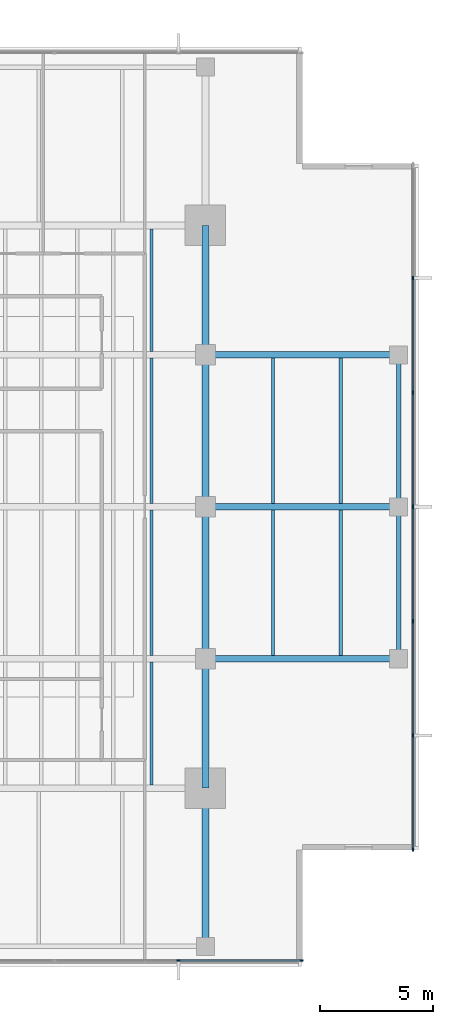
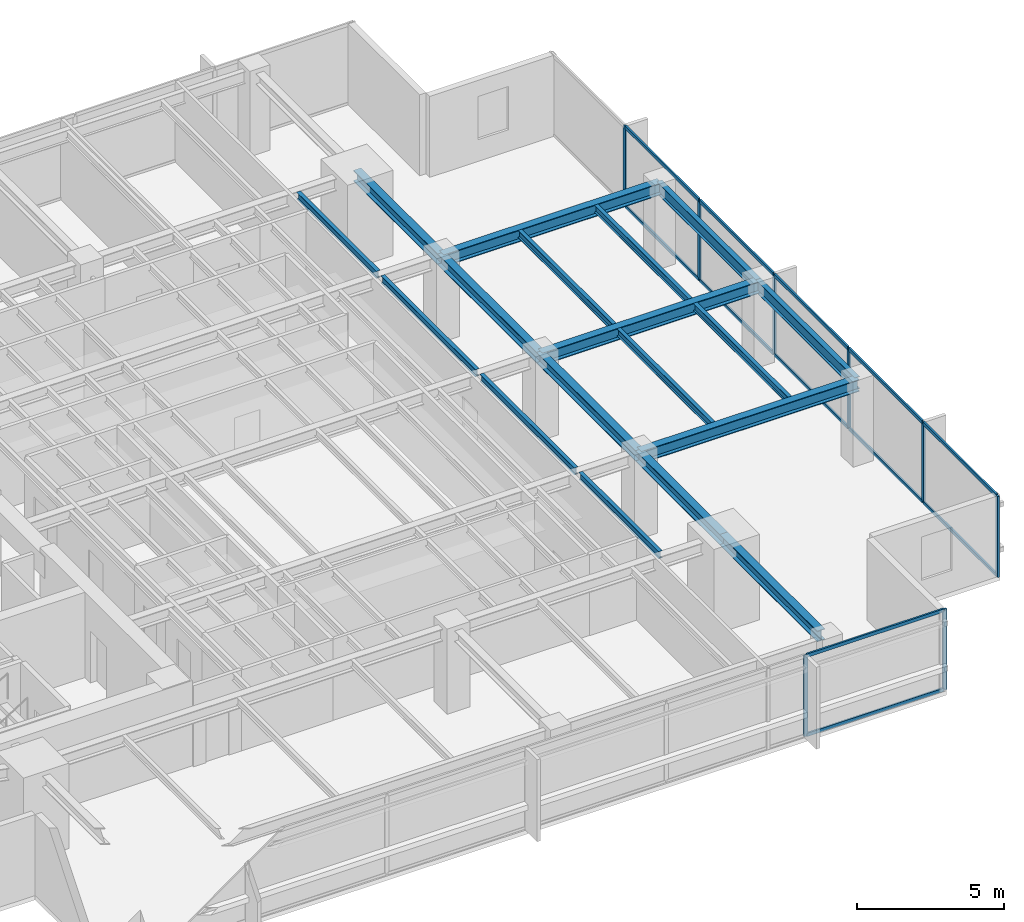
# One storey, part 4 of 14: 20 members, 18 beams, 2 elements without a shape of their own.
"""IFC4 building model written with IfcOpenShell, lengths in metres."""

from ifc_helpers import new_model, si_unit, direction, frame, origin, origin_2d, place, context, subcontext, project, spatial, rectangle, i_section, extrude, material, layer, layer_set, material_profile, profile_set, type_object, element, aggregate, save


model = new_model("IFC4")

# Units and contexts
model_context = context("Model", 3, precision=1e-05, world=origin(), true_north=direction((0.0, 1.0)))
body_context = subcontext(model_context, "Body", "Model", "MODEL_VIEW")
ifc_project = project(units=[si_unit("LENGTHUNIT", "METRE"), si_unit("AREAUNIT", "SQUARE_METRE"), si_unit("VOLUMEUNIT", "CUBIC_METRE"), si_unit("PLANEANGLEUNIT", "RADIAN"), si_unit("MASSUNIT", "GRAM", prefix="KILO")], contexts=[model_context])

# Site, building, storey
site_placement = place(None, origin())
site = spatial("IfcSite", under=ifc_project, at=site_placement, CompositionType="ELEMENT")
building_placement = place(site_placement, origin())
building = spatial("IfcBuilding", under=site, at=building_placement, Name="Kinhvarn Gate Tower", CompositionType="ELEMENT")
storey_placement = place(building_placement, frame((0.0, 0.0, 234.199951171875)))
storey = spatial("IfcBuildingStorey", under=building, at=storey_placement, Name="L62", CompositionType="ELEMENT", Elevation=234.199951171875)

# Curtain wall, members
ifc_material_1 = material(Name="Anodised aluminium AW-6063", Category="aluminium")
ifc_layer = layer(ifc_material_1, 0.179931640625)
ifc_layer_set = layer_set([ifc_layer], Name="Anodised aluminium AW-6063")
curtain_wall_type = type_object("IfcCurtainWallType", Name="CW-SYS-3", PredefinedType="NOTDEFINED", material=ifc_layer_set)
curtain_wall_1_placement = place(storey_placement, origin())
curtain_wall_1 = element("IfcCurtainWall", 1, at=curtain_wall_1_placement, inside=storey, type_object=curtain_wall_type, Name="Curtain Wall CW3 (L62)", PredefinedType="NOTDEFINED")
ifc_material_profile_1 = material_profile(ifc_material_1, rectangle(XDim=0.06494140625, YDim=0.159912109375, at=origin_2d()), Name="ALU 65x160")
ifc_profile_set_1 = profile_set([ifc_material_profile_1], Name="Anodised aluminium AW-6063")
member_type_1 = type_object("IfcMemberType", Name="CW-MUL-160", PredefinedType="MULLION", material=ifc_profile_set_1)
member_1_placement = place(storey_placement, frame((37.0, 5.090087890625, 0.0), z_axis=(0.0, 0.0, 1.0), x_axis=(0.0, 1.0, 0.0)))
member_1 = element("IfcMember", 2, at=member_1_placement, type_object=member_type_1, Name="CW3 mullion 6", PredefinedType="MULLION", context=body_context, shape_type="SweptSolid", body=[
    extrude(rectangle(XDim=0.06494140625, YDim=0.159912109375, at=origin_2d()), origin(), (0.0, 0.0, 1.0), 3.3701171875),
])
member_2_placement = place(storey_placement, frame((42.467529296875, 5.090087890625, 0.0), z_axis=(0.0, 0.0, 1.0), x_axis=(0.0, 1.0, 0.0)))
member_2 = element("IfcMember", 3, at=member_2_placement, type_object=member_type_1, Name="CW3 mullion 7", PredefinedType="MULLION", context=body_context, shape_type="SweptSolid", body=[
    extrude(rectangle(XDim=0.06494140625, YDim=0.159912109375, at=origin_2d()), origin(), (0.0, 0.0, 1.0), 3.3701171875),
])

curtain_wall_2_placement = place(storey_placement, origin())
curtain_wall_2 = element("IfcCurtainWall", 4, at=curtain_wall_2_placement, inside=storey, type_object=curtain_wall_type, Name="Curtain Wall CW3 (L62)", PredefinedType="NOTDEFINED")
member_3_placement = place(storey_placement, frame((47.409912109375, 10.032470703125, 0.0), z_axis=(0.0, 0.0, 1.0), x_axis=(-1.0, 0.0, 0.0)))
member_3 = element("IfcMember", 5, at=member_3_placement, type_object=member_type_1, Name="CW3 mullion 1", PredefinedType="MULLION", context=body_context, shape_type="SweptSolid", body=[
    extrude(rectangle(XDim=0.06494140625, YDim=0.159912109375, at=origin_2d()), origin(), (0.0, 0.0, 1.0), 3.3701171875),
])
member_4_placement = place(storey_placement, frame((47.409912109375, 15.083251953125, 0.0), z_axis=(0.0, 0.0, 1.0), x_axis=(-1.0, 0.0, 0.0)))
member_4 = element("IfcMember", 6, at=member_4_placement, type_object=member_type_1, Name="CW3 mullion 2", PredefinedType="MULLION", context=body_context, shape_type="SweptSolid", body=[
    extrude(rectangle(XDim=0.06494140625, YDim=0.159912109375, at=origin_2d()), origin(), (0.0, 0.0, 1.0), 3.3701171875),
])
member_5_placement = place(storey_placement, frame((47.409912109375, 20.166748046875, 0.0), z_axis=(0.0, 0.0, 1.0), x_axis=(-1.0, 0.0, 0.0)))
member_5 = element("IfcMember", 7, at=member_5_placement, type_object=member_type_1, Name="CW3 mullion 3", PredefinedType="MULLION", context=body_context, shape_type="SweptSolid", body=[
    extrude(rectangle(XDim=0.06494140625, YDim=0.159912109375, at=origin_2d()), origin(), (0.0, 0.0, 1.0), 3.3701171875),
])
member_6_placement = place(storey_placement, frame((47.409912109375, 25.25, 0.0), z_axis=(0.0, 0.0, 1.0), x_axis=(-1.0, 0.0, 0.0)))
member_6 = element("IfcMember", 8, at=member_6_placement, type_object=member_type_1, Name="CW3 mullion 4", PredefinedType="MULLION", context=body_context, shape_type="SweptSolid", body=[
    extrude(rectangle(XDim=0.06494140625, YDim=0.159912109375, at=origin_2d()), origin(), (0.0, 0.0, 1.0), 3.3701171875),
])
member_7_placement = place(storey_placement, frame((47.409912109375, 30.333251953125, 0.0), z_axis=(0.0, 0.0, 1.0), x_axis=(-1.0, 0.0, 0.0)))
member_7 = element("IfcMember", 9, at=member_7_placement, type_object=member_type_1, Name="CW3 mullion 5", PredefinedType="MULLION", context=body_context, shape_type="SweptSolid", body=[
    extrude(rectangle(XDim=0.06494140625, YDim=0.159912109375, at=origin_2d()), origin(), (0.0, 0.0, 1.0), 3.3701171875),
])
member_8_placement = place(storey_placement, frame((47.409912109375, 35.416748046875, 0.0), z_axis=(0.0, 0.0, 1.0), x_axis=(-1.0, 0.0, 0.0)))
member_8 = element("IfcMember", 10, at=member_8_placement, type_object=member_type_1, Name="CW3 mullion 6", PredefinedType="MULLION", context=body_context, shape_type="SweptSolid", body=[
    extrude(rectangle(XDim=0.06494140625, YDim=0.159912109375, at=origin_2d()), origin(), (0.0, 0.0, 1.0), 3.3701171875),
])

# Member
ifc_material_profile_2 = material_profile(ifc_material_1, rectangle(XDim=0.070068359375, YDim=0.139892578125, at=origin_2d()), Name="ALU 70x140")
ifc_profile_set_2 = profile_set([ifc_material_profile_2], Name="Anodised aluminium AW-6063")
member_type_2 = type_object("IfcMemberType", Name="CW-TRN-140", PredefinedType="USERDEFINED", material=ifc_profile_set_2)
member_9_placement = place(storey_placement, frame((37.032470703125, 5.090087890625, 0.03515625), z_axis=(1.0, 0.0, 0.0), x_axis=(0.0, 1.0, 0.0)))
member_9 = element("IfcMember", 11, at=member_9_placement, type_object=member_type_2, Name="CW3 transom 6.1", ObjectType="TRANSOM", PredefinedType="USERDEFINED", context=body_context, shape_type="SweptSolid", body=[
    extrude(rectangle(XDim=0.070068359375, YDim=0.139892578125, at=origin_2d()), origin(), (0.0, 0.0, 1.0), 5.402587890625),
])

member_10_placement = place(storey_placement, frame((37.032470703125, 5.090087890625, 3.3349609375), z_axis=(1.0, 0.0, 0.0), x_axis=(0.0, 1.0, 0.0)))
member_10 = element("IfcMember", 12, at=member_10_placement, type_object=member_type_2, Name="CW3 transom 6.2", ObjectType="TRANSOM", PredefinedType="USERDEFINED", context=body_context, shape_type="SweptSolid", body=[
    extrude(rectangle(XDim=0.070068359375, YDim=0.139892578125, at=origin_2d()), origin(), (0.0, 0.0, 1.0), 5.402587890625),
])

aggregate(curtain_wall_1, [member_1, member_2, member_9, member_10])

member_11_placement = place(storey_placement, frame((47.409912109375, 10.06494140625, 0.03515625), z_axis=(0.0, 1.0, 0.0), x_axis=(-1.0, 0.0, 0.0)))
member_11 = element("IfcMember", 13, at=member_11_placement, type_object=member_type_2, Name="CW3 transom 1.1", ObjectType="TRANSOM", PredefinedType="USERDEFINED", context=body_context, shape_type="SweptSolid", body=[
    extrude(rectangle(XDim=0.070068359375, YDim=0.139892578125, at=origin_2d()), origin(), (0.0, 0.0, 1.0), 4.98583984375),
])

member_12_placement = place(storey_placement, frame((47.409912109375, 10.06494140625, 3.3349609375), z_axis=(0.0, 1.0, 0.0), x_axis=(-1.0, 0.0, 0.0)))
member_12 = element("IfcMember", 14, at=member_12_placement, type_object=member_type_2, Name="CW3 transom 1.2", ObjectType="TRANSOM", PredefinedType="USERDEFINED", context=body_context, shape_type="SweptSolid", body=[
    extrude(rectangle(XDim=0.070068359375, YDim=0.139892578125, at=origin_2d()), origin(), (0.0, 0.0, 1.0), 4.98583984375),
])

member_13_placement = place(storey_placement, frame((47.409912109375, 15.11572265625, 0.03515625), z_axis=(0.0, 1.0, 0.0), x_axis=(-1.0, 0.0, 0.0)))
member_13 = element("IfcMember", 15, at=member_13_placement, type_object=member_type_2, Name="CW3 transom 2.1", ObjectType="TRANSOM", PredefinedType="USERDEFINED", context=body_context, shape_type="SweptSolid", body=[
    extrude(rectangle(XDim=0.070068359375, YDim=0.139892578125, at=origin_2d()), origin(), (0.0, 0.0, 1.0), 5.0185546875),
])

member_14_placement = place(storey_placement, frame((47.409912109375, 15.11572265625, 3.3349609375), z_axis=(0.0, 1.0, 0.0), x_axis=(-1.0, 0.0, 0.0)))
member_14 = element("IfcMember", 16, at=member_14_placement, type_object=member_type_2, Name="CW3 transom 2.2", ObjectType="TRANSOM", PredefinedType="USERDEFINED", context=body_context, shape_type="SweptSolid", body=[
    extrude(rectangle(XDim=0.070068359375, YDim=0.139892578125, at=origin_2d()), origin(), (0.0, 0.0, 1.0), 5.0185546875),
])

member_15_placement = place(storey_placement, frame((47.409912109375, 20.19921875, 0.03515625), z_axis=(0.0, 1.0, 0.0), x_axis=(-1.0, 0.0, 0.0)))
member_15 = element("IfcMember", 17, at=member_15_placement, type_object=member_type_2, Name="CW3 transom 3.1", ObjectType="TRANSOM", PredefinedType="USERDEFINED", context=body_context, shape_type="SweptSolid", body=[
    extrude(rectangle(XDim=0.070068359375, YDim=0.139892578125, at=origin_2d()), origin(), (0.0, 0.0, 1.0), 5.018310546875),
])

member_16_placement = place(storey_placement, frame((47.409912109375, 20.19921875, 3.3349609375), z_axis=(0.0, 1.0, 0.0), x_axis=(-1.0, 0.0, 0.0)))
member_16 = element("IfcMember", 18, at=member_16_placement, type_object=member_type_2, Name="CW3 transom 3.2", ObjectType="TRANSOM", PredefinedType="USERDEFINED", context=body_context, shape_type="SweptSolid", body=[
    extrude(rectangle(XDim=0.070068359375, YDim=0.139892578125, at=origin_2d()), origin(), (0.0, 0.0, 1.0), 5.018310546875),
])

member_17_placement = place(storey_placement, frame((47.409912109375, 25.282470703125, 0.03515625), z_axis=(0.0, 1.0, 0.0), x_axis=(-1.0, 0.0, 0.0)))
member_17 = element("IfcMember", 19, at=member_17_placement, type_object=member_type_2, Name="CW3 transom 4.1", ObjectType="TRANSOM", PredefinedType="USERDEFINED", context=body_context, shape_type="SweptSolid", body=[
    extrude(rectangle(XDim=0.070068359375, YDim=0.139892578125, at=origin_2d()), origin(), (0.0, 0.0, 1.0), 5.018310546875),
])

member_18_placement = place(storey_placement, frame((47.409912109375, 25.282470703125, 3.3349609375), z_axis=(0.0, 1.0, 0.0), x_axis=(-1.0, 0.0, 0.0)))
member_18 = element("IfcMember", 20, at=member_18_placement, type_object=member_type_2, Name="CW3 transom 4.2", ObjectType="TRANSOM", PredefinedType="USERDEFINED", context=body_context, shape_type="SweptSolid", body=[
    extrude(rectangle(XDim=0.070068359375, YDim=0.139892578125, at=origin_2d()), origin(), (0.0, 0.0, 1.0), 5.018310546875),
])

member_19_placement = place(storey_placement, frame((47.409912109375, 30.36572265625, 0.03515625), z_axis=(0.0, 1.0, 0.0), x_axis=(-1.0, 0.0, 0.0)))
member_19 = element("IfcMember", 21, at=member_19_placement, type_object=member_type_2, Name="CW3 transom 5.1", ObjectType="TRANSOM", PredefinedType="USERDEFINED", context=body_context, shape_type="SweptSolid", body=[
    extrude(rectangle(XDim=0.070068359375, YDim=0.139892578125, at=origin_2d()), origin(), (0.0, 0.0, 1.0), 5.0185546875),
])

member_20_placement = place(storey_placement, frame((47.409912109375, 30.36572265625, 3.3349609375), z_axis=(0.0, 1.0, 0.0), x_axis=(-1.0, 0.0, 0.0)))
member_20 = element("IfcMember", 22, at=member_20_placement, type_object=member_type_2, Name="CW3 transom 5.2", ObjectType="TRANSOM", PredefinedType="USERDEFINED", context=body_context, shape_type="SweptSolid", body=[
    extrude(rectangle(XDim=0.070068359375, YDim=0.139892578125, at=origin_2d()), origin(), (0.0, 0.0, 1.0), 5.0185546875),
])

aggregate(curtain_wall_2, [member_3, member_4, member_5, member_6, member_7, member_8, member_11, member_12, member_13, member_14, member_15, member_16, member_17, member_18, member_19, member_20])

# Beams
ifc_material_2 = material(Name="Steel S355", Category="steel")
ifc_material_profile_3 = material_profile(ifc_material_2, i_section(OverallWidth=0.300048828125, OverallDepth=0.449951171875, WebThickness=0.013916015625, FlangeThickness=0.02587890625, at=origin_2d()), Name="HEB 450")
ifc_profile_set_3 = profile_set([ifc_material_profile_3], Name="Steel S355")
beam_type_1 = type_object("IfcBeamType", Name="STL-HEB450", PredefinedType="BEAM", material=ifc_profile_set_3)
beam_1_placement = place(storey_placement, frame((38.199951171875, 6.10498046875, 3.14501953125), z_axis=(0.0, 1.0, 0.0), x_axis=(-1.0, 0.0, 0.0)))
element("IfcBeam", 23, at=beam_1_placement, inside=storey, type_object=beam_type_1, Name="Floor Beam PG-13 (L62 MCE-S)", PredefinedType="BEAM", context=body_context, shape_type="SweptSolid", body=[
    extrude(i_section(OverallWidth=0.300048828125, OverallDepth=0.449951171875, WebThickness=0.013916015625, FlangeThickness=0.02587890625, at=origin_2d()), origin(), (0.0, 0.0, 1.0), 6.64501953125),
])
beam_2_placement = place(storey_placement, frame((38.199951171875, 12.75, 3.14501953125), z_axis=(0.0, 1.0, 0.0), x_axis=(-1.0, 0.0, 0.0)))
element("IfcBeam", 24, at=beam_2_placement, inside=storey, type_object=beam_type_1, Name="Floor Beam PG-13 (L62 MG-E-12)", PredefinedType="BEAM", context=body_context, shape_type="SweptSolid", body=[
    extrude(i_section(OverallWidth=0.300048828125, OverallDepth=0.449951171875, WebThickness=0.013916015625, FlangeThickness=0.02587890625, at=origin_2d()), origin(), (0.0, 0.0, 1.0), 5.75),
])
for number, where, z_axis, x_axis, name in (
    (25, (38.199951171875, 18.5, 3.14501953125), (0.0, 1.0, 0.0), (-1.0, 0.0, 0.0), "Floor Beam PG-13 (L62 MG-E-18)"),
    (26, (38.199951171875, 25.25, 3.14501953125), (0.0, 1.0, 0.0), (-1.0, 0.0, 0.0), "Floor Beam PG-13 (L62 MG-E-25)"),
):
    element("IfcBeam", number, at=place(storey_placement, frame(where, z_axis=z_axis, x_axis=x_axis)), inside=storey, type_object=beam_type_1, Name=name, PredefinedType="BEAM", context=body_context, shape_type="SweptSolid", body=[
        extrude(i_section(OverallWidth=0.300048828125, OverallDepth=0.449951171875, WebThickness=0.013916015625, FlangeThickness=0.02587890625, at=origin_2d()), origin(), (0.0, 0.0, 1.0), 6.75),
    ])
beam_3_placement = place(storey_placement, frame((38.199951171875, 32.0, 3.14501953125), z_axis=(0.0, 1.0, 0.0), x_axis=(-1.0, 0.0, 0.0)))
element("IfcBeam", 27, at=beam_3_placement, inside=storey, type_object=beam_type_1, Name="Floor Beam PG-13 (L62 MG-E-32)", PredefinedType="BEAM", context=body_context, shape_type="SweptSolid", body=[
    extrude(i_section(OverallWidth=0.300048828125, OverallDepth=0.449951171875, WebThickness=0.013916015625, FlangeThickness=0.02587890625, at=origin_2d()), origin(), (0.0, 0.0, 1.0), 5.75),
])
ifc_material_profile_4 = material_profile(ifc_material_2, i_section(OverallWidth=0.300048828125, OverallDepth=0.5, WebThickness=0.014404296875, FlangeThickness=0.028076171875, at=origin_2d()), Name="HEB 500")
ifc_profile_set_4 = profile_set([ifc_material_profile_4], Name="Steel S355")
beam_type_2 = type_object("IfcBeamType", Name="STL-HEB500", PredefinedType="BEAM", material=ifc_profile_set_4)
for number, where, z_axis, x_axis, name in (
    (28, (38.199951171875, 18.5, 3.1201171875), (1.0, 0.0, 0.0), (0.0, 1.0, 0.0), "Floor Beam PG-14 (L62 EW2-Y18)"),
    (29, (38.199951171875, 25.25, 3.1201171875), (1.0, 0.0, 0.0), (0.0, 1.0, 0.0), "Floor Beam PG-14 (L62 EW2-Y25)"),
    (30, (38.199951171875, 32.0, 3.1201171875), (1.0, 0.0, 0.0), (0.0, 1.0, 0.0), "Floor Beam PG-14 (L62 EW2-Y32)"),
):
    element("IfcBeam", number, at=place(storey_placement, frame(where, z_axis=z_axis, x_axis=x_axis)), inside=storey, type_object=beam_type_2, Name=name, PredefinedType="BEAM", context=body_context, shape_type="SweptSolid", body=[
        extrude(i_section(OverallWidth=0.300048828125, OverallDepth=0.5, WebThickness=0.014404296875, FlangeThickness=0.028076171875, at=origin_2d()), origin(), (0.0, 0.0, 1.0), 8.580078125),
    ])
ifc_material_profile_5 = material_profile(ifc_material_2, i_section(OverallWidth=0.14990234375, OverallDepth=0.300048828125, WebThickness=0.007080078125, FlangeThickness=0.0107421875, at=origin_2d()), Name="IPE 300")
ifc_profile_set_5 = profile_set([ifc_material_profile_5], Name="Steel S355")
beam_type_3 = type_object("IfcBeamType", Name="STL-IPE300", PredefinedType="JOIST", material=ifc_profile_set_5)
beam_4_placement = place(storey_placement, frame((35.800048828125, 12.89990234375, 3.219970703125), z_axis=(0.0, 1.0, 0.0), x_axis=(-1.0, 0.0, 0.0)))
element("IfcBeam", 31, at=beam_4_placement, inside=storey, type_object=beam_type_3, Name="Floor Joist SB-02 (L62 JC-X358-0)", PredefinedType="JOIST", context=body_context, shape_type="SweptSolid", body=[
    extrude(i_section(OverallWidth=0.14990234375, OverallDepth=0.300048828125, WebThickness=0.007080078125, FlangeThickness=0.0107421875, at=origin_2d()), origin(), (0.0, 0.0, 1.0), 5.4501953125),
])
for number, where, z_axis, x_axis, name in (
    (32, (35.800048828125, 18.64990234375, 3.219970703125), (0.0, 1.0, 0.0), (-1.0, 0.0, 0.0), "Floor Joist SB-02 (L62 JC-X358-1)"),
    (33, (35.800048828125, 25.39990234375, 3.219970703125), (0.0, 1.0, 0.0), (-1.0, 0.0, 0.0), "Floor Joist SB-02 (L62 JC-X358-2)"),
):
    element("IfcBeam", number, at=place(storey_placement, frame(where, z_axis=z_axis, x_axis=x_axis)), inside=storey, type_object=beam_type_3, Name=name, PredefinedType="JOIST", context=body_context, shape_type="SweptSolid", body=[
        extrude(i_section(OverallWidth=0.14990234375, OverallDepth=0.300048828125, WebThickness=0.007080078125, FlangeThickness=0.0107421875, at=origin_2d()), origin(), (0.0, 0.0, 1.0), 6.4501953125),
    ])
beam_5_placement = place(storey_placement, frame((35.800048828125, 32.14990234375, 3.219970703125), z_axis=(0.0, 1.0, 0.0), x_axis=(-1.0, 0.0, 0.0)))
element("IfcBeam", 34, at=beam_5_placement, inside=storey, type_object=beam_type_3, Name="Floor Joist SB-02 (L62 JC-X358-3)", PredefinedType="JOIST", context=body_context, shape_type="SweptSolid", body=[
    extrude(i_section(OverallWidth=0.14990234375, OverallDepth=0.300048828125, WebThickness=0.007080078125, FlangeThickness=0.0107421875, at=origin_2d()), origin(), (0.0, 0.0, 1.0), 5.4501953125),
])
for number, where, z_axis, x_axis, name in (
    (35, (41.199951171875, 18.64990234375, 3.219970703125), (0.0, 1.0, 0.0), (-1.0, 0.0, 0.0), "Floor Joist SB-02 (L62 JC-X412-1)"),
    (36, (41.199951171875, 25.39990234375, 3.219970703125), (0.0, 1.0, 0.0), (-1.0, 0.0, 0.0), "Floor Joist SB-02 (L62 JC-X412-2)"),
    (37, (44.2099609375, 18.64990234375, 3.219970703125), (0.0, 1.0, 0.0), (-1.0, 0.0, 0.0), "Floor Joist SB-02 (L62 JC-X442-1)"),
    (38, (44.2099609375, 25.39990234375, 3.219970703125), (0.0, 1.0, 0.0), (-1.0, 0.0, 0.0), "Floor Joist SB-02 (L62 JC-X442-2)"),
):
    element("IfcBeam", number, at=place(storey_placement, frame(where, z_axis=z_axis, x_axis=x_axis)), inside=storey, type_object=beam_type_3, Name=name, PredefinedType="JOIST", context=body_context, shape_type="SweptSolid", body=[
        extrude(i_section(OverallWidth=0.14990234375, OverallDepth=0.300048828125, WebThickness=0.007080078125, FlangeThickness=0.0107421875, at=origin_2d()), origin(), (0.0, 0.0, 1.0), 6.4501953125),
    ])
ifc_material_profile_6 = material_profile(ifc_material_2, i_section(OverallWidth=0.199951171875, OverallDepth=0.5, WebThickness=0.01025390625, FlangeThickness=0.01611328125, at=origin_2d()), Name="IPE 500")
ifc_profile_set_6 = profile_set([ifc_material_profile_6], Name="Steel S355")
beam_type_4 = type_object("IfcBeamType", Name="STL-IPE500", PredefinedType="SPANDREL", material=ifc_profile_set_6)
for number, where, z_axis, x_axis, name in (
    (39, (46.780029296875, 18.5, 3.1201171875), (0.0, 1.0, 0.0), (-1.0, 0.0, 0.0), "Floor Spandrel SB-07 (L62 SP-E2)"),
    (40, (46.780029296875, 25.25, 3.1201171875), (0.0, 1.0, 0.0), (-1.0, 0.0, 0.0), "Floor Spandrel SB-07 (L62 SP-E3)"),
):
    element("IfcBeam", number, at=place(storey_placement, frame(where, z_axis=z_axis, x_axis=x_axis)), inside=storey, type_object=beam_type_4, Name=name, PredefinedType="SPANDREL", context=body_context, shape_type="SweptSolid", body=[
        extrude(i_section(OverallWidth=0.199951171875, OverallDepth=0.5, WebThickness=0.01025390625, FlangeThickness=0.01611328125, at=origin_2d()), origin(), (0.0, 0.0, 1.0), 6.75),
    ])

save(model, "model.ifc")
